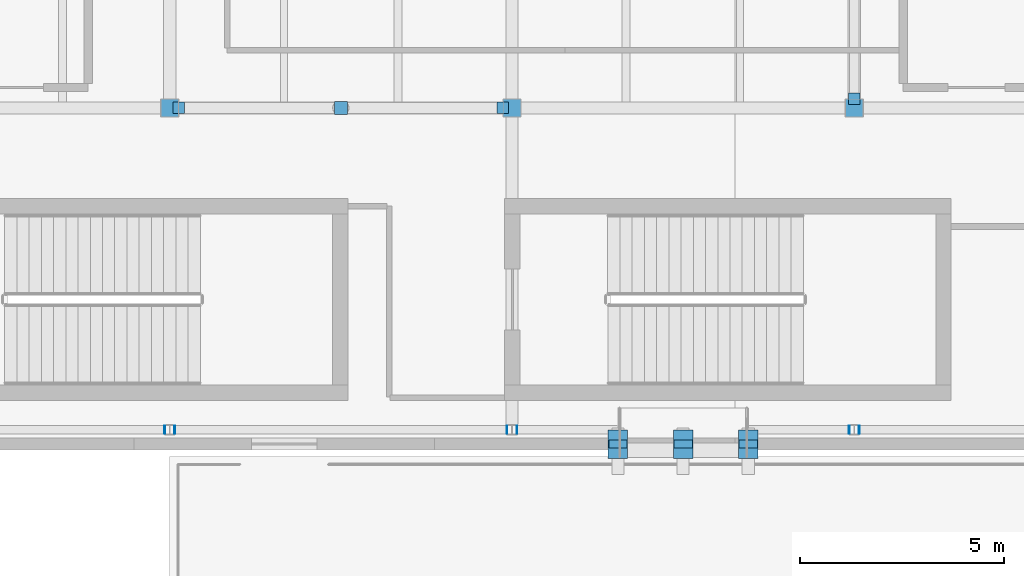
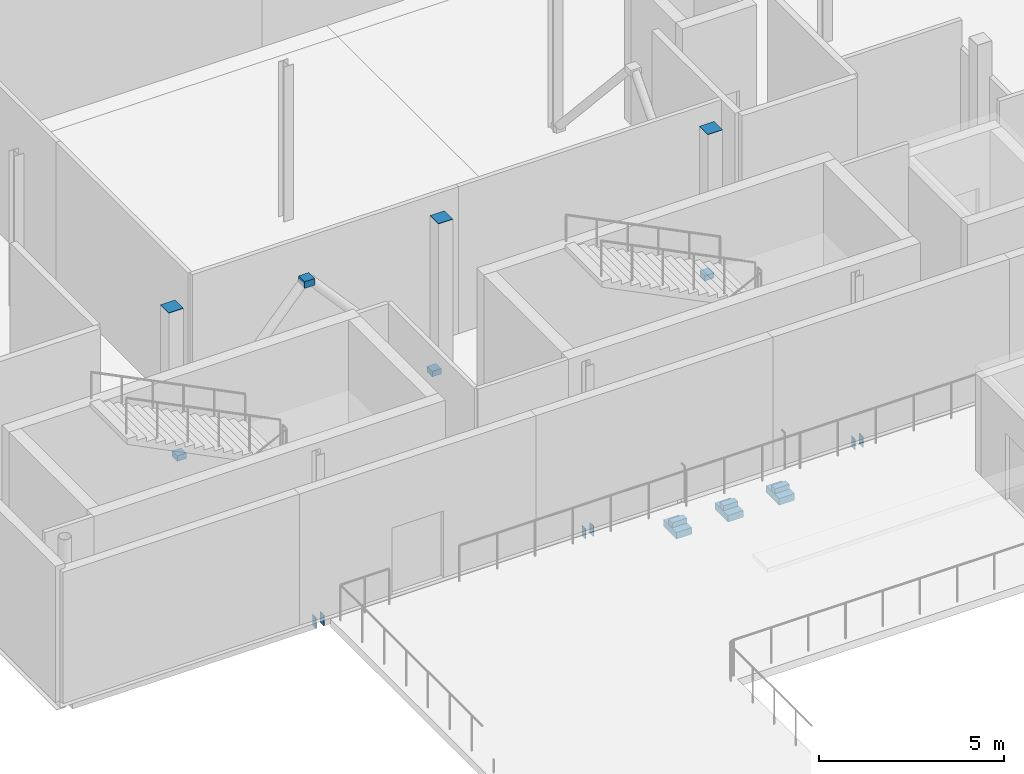
# One storey, part 42 of 57: 19 discrete accessories.
"""IFC4 building model written with IfcOpenShell, lengths in metres."""

import ifcopenshell
import ifcopenshell.guid

model = None  # the IFC model being written
_history = None  # IfcOwnerHistory: only IFC2X3 demands one
_inside = {}  # id of a spatial element -> (the spatial element, [elements in it])
_under = {}  # id of a project, library or spatial element -> (it, [spatial elements below it])
_declared = {}  # id of a project -> (the project, [libraries it declares])
_typed = {}  # id of a type object -> (the type object, [elements of that type])
_made_of = {}  # id of a material, layer set ... -> (it, [elements and type objects made of it])


def new_model(schema):
    """Start an empty IFC model of exactly this schema.

    Asked for "IFC4X3", IfcOpenShell would pick the latest addendum, in which some entities
    have other attributes; the version numbers below select the first issue.
    IFC2X3 requires an IfcOwnerHistory on every rooted entity: one is made here for all.
    """
    global model, _history
    if schema == "IFC4X3":
        model = ifcopenshell.file(schema_version=(4, 3, 0, 0))
    else:
        model = ifcopenshell.file(schema=schema)
    _inside.clear()
    _under.clear()
    _declared.clear()
    _typed.clear()
    _made_of.clear()
    _history = None
    if model.schema == "IFC2X3":
        org = make("IfcOrganization", Name="unknown")
        user = make(
            "IfcPersonAndOrganization",
            ThePerson=make("IfcPerson", FamilyName="unknown"),
            TheOrganization=org,
        )
        app = make(
            "IfcApplication",
            ApplicationDeveloper=org,
            Version="unknown",
            ApplicationFullName="unknown",
            ApplicationIdentifier="unknown",
        )
        _history = make(
            "IfcOwnerHistory",
            OwningUser=user,
            OwningApplication=app,
            ChangeAction="ADDED",
            CreationDate=0,
        )
    return model


def make(cls, **values):
    """One entity of the class cls with the attributes given. An attribute that is None is left unset."""
    return model.create_entity(
        cls, **{name: value for name, value in values.items() if value is not None}
    )


def rooted(cls, **values):
    """An entity with a GlobalId (a new one), such as an element, a storey or a relation."""
    return make(cls, GlobalId=ifcopenshell.guid.new(), OwnerHistory=_history, **values)


def si_unit(unit_type, name, prefix=None):
    """IfcSIUnit, for example si_unit("LENGTHUNIT", "METRE", prefix="MILLI")."""
    return make("IfcSIUnit", UnitType=unit_type, Prefix=prefix, Name=name)


def assignment(units):
    """IfcUnitAssignment: the units of a project."""
    return None if units is None else make("IfcUnitAssignment", Units=units)


def point(xyz):
    """IfcCartesianPoint."""
    return None if xyz is None else make("IfcCartesianPoint", Coordinates=xyz)


def direction(xyz):
    """IfcDirection."""
    return None if xyz is None else make("IfcDirection", DirectionRatios=xyz)


def frame(location, z_axis=None, x_axis=None):
    """IfcAxis2Placement3D, a coordinate frame: its origin and axes. An axis left out is left unset."""
    return make(
        "IfcAxis2Placement3D",
        Location=point(location),
        Axis=direction(z_axis),
        RefDirection=direction(x_axis),
    )


def frame_2d(location, x_axis=None):
    """IfcAxis2Placement2D, a coordinate frame in the plane: its origin and x axis."""
    return make(
        "IfcAxis2Placement2D", Location=point(location), RefDirection=direction(x_axis)
    )


def origin():
    """The frame at (0, 0, 0) with its axes left unset."""
    return frame((0.0, 0.0, 0.0))


def origin_2d():
    """The frame at (0, 0) in the plane with its x axis left unset."""
    return frame_2d((0.0, 0.0))


def place(relative_to, where):
    """IfcLocalPlacement: puts the frame where relative to a parent placement (None: the world)."""
    return make(
        "IfcLocalPlacement", PlacementRelTo=relative_to, RelativePlacement=where
    )


def context(
    kind, dimensions, precision=None, world=None, true_north=None, identifier=None
):
    """IfcGeometricRepresentationContext, for example the 3D "Model" context."""
    return make(
        "IfcGeometricRepresentationContext",
        ContextIdentifier=identifier,
        ContextType=kind,
        CoordinateSpaceDimension=dimensions,
        Precision=precision,
        WorldCoordinateSystem=world,
        TrueNorth=true_north,
    )


def subcontext(parent, identifier, kind, view, scale=None):
    """IfcGeometricRepresentationSubContext, for example "Body" below "Model"."""
    return make(
        "IfcGeometricRepresentationSubContext",
        ContextIdentifier=identifier,
        ContextType=kind,
        ParentContext=parent,
        TargetScale=scale,
        TargetView=view,
    )


def project(units=None, contexts=None):
    """IfcProject with its units and contexts."""
    return rooted(
        "IfcProject",
        Name="project",
        RepresentationContexts=contexts,
        UnitsInContext=assignment(units),
    )


def spatial(cls, under=None, at=None, **own):
    """A site, building, storey or space (cls), placed at a placement, below another one or the project."""
    s = rooted(cls, ObjectPlacement=at, **own)
    if under is not None:
        _under.setdefault(under.id(), (under, []))[1].append(s)
    return s


def profile(cls, at=None, kind="AREA", **sizes):
    """A parametric profile (cls). Its sizes go by their IFC names, for example OverallWidth=200.0."""
    return make(cls, ProfileType=kind, Position=at, **sizes)


def rectangle(**sizes):
    """IfcRectangleProfileDef."""
    return profile("IfcRectangleProfileDef", **sizes)


def extrude(swept, where, along, depth):
    """IfcExtrudedAreaSolid: the profile swept, set in the frame where, extruded along a direction by depth."""
    return make(
        "IfcExtrudedAreaSolid",
        SweptArea=swept,
        Position=where,
        ExtrudedDirection=direction(along),
        Depth=depth,
    )


def shape(context_of_items, identifier, shape_type, items):
    """IfcShapeRepresentation: the items that make up one representation, for example the "Body"."""
    return make(
        "IfcShapeRepresentation",
        ContextOfItems=context_of_items,
        RepresentationIdentifier=identifier,
        RepresentationType=shape_type,
        Items=items,
    )


def material(Name=None, Category=None):
    """IfcMaterial."""
    return make("IfcMaterial", Name=Name, Category=Category)


def made_of(thing, what):
    """Note that an element or type object is made of a material, layer set ...; save() writes the relation."""
    if what is not None:
        _made_of.setdefault(what.id(), (what, []))[1].append(thing)
    return thing


def type_object(cls, material=None, **own):
    """A type object (cls), such as IfcWallType, which elements share."""
    return made_of(rooted(cls, **own), material)


def element(
    cls,
    number,
    at=None,
    inside=None,
    cuts=None,
    type_object=None,
    material=None,
    context=None,
    identifier="Body",
    shape_type=None,
    held_by="IfcProductDefinitionShape",
    body=None,
    shapes=None,
    **own,
):
    """One element of the class cls, such as IfcWall. Its Tag is "e" and its number.

    at: its placement. inside: the storey or other place that contains it. cuts: it is an
    opening in that element (IfcRelVoidsElement). A single representation is given by context,
    identifier, shape_type and body (its items); several are given by shapes. held_by: the class
    of the entity that holds the representations. save() writes the other relations.
    """
    e = rooted(cls, Tag="e%d" % number, ObjectPlacement=at, **own)
    if body is not None:
        shapes = [shape(context, identifier, shape_type, body)]
    if shapes is not None:
        e.Representation = make(held_by, Representations=shapes)
    if inside is not None:
        _inside.setdefault(inside.id(), (inside, []))[1].append(e)
    if cuts is not None:
        rooted(
            "IfcRelVoidsElement", RelatingBuildingElement=cuts, RelatedOpeningElement=e
        )
    if type_object is not None:
        _typed.setdefault(type_object.id(), (type_object, []))[1].append(e)
    return made_of(e, material)


def aggregate(whole, parts):
    """IfcRelAggregates: a whole, such as a stair, and the parts it consists of."""
    return rooted("IfcRelAggregates", RelatingObject=whole, RelatedObjects=parts)


def save(model, path):
    """Write the relations noted so far, then the file.

    IfcRelAggregates (storeys below a building ...), IfcRelContainedInSpatialStructure (elements
    in a storey), IfcRelDefinesByType, IfcRelAssociatesMaterial and IfcRelDeclares: one each for
    every whole, place, type object, material and project.
    """
    for whole, parts in _under.values():
        aggregate(whole, parts)
    for where, things in _inside.values():
        rooted(
            "IfcRelContainedInSpatialStructure",
            RelatedElements=things,
            RelatingStructure=where,
        )
    for kind, things in _typed.values():
        rooted("IfcRelDefinesByType", RelatedObjects=things, RelatingType=kind)
    for what, things in _made_of.values():
        rooted("IfcRelAssociatesMaterial", RelatedObjects=things, RelatingMaterial=what)
    for by, libraries in _declared.values():
        rooted("IfcRelDeclares", RelatingContext=by, RelatedDefinitions=libraries)
    model.write(path)


model = new_model("IFC4")

# Units and contexts
model_context = context("Model", 3, precision=1e-05, world=origin(), true_north=direction((0.0, 1.0)))
body_context = subcontext(model_context, "Body", "Model", "MODEL_VIEW")
ifc_project = project(units=[si_unit("LENGTHUNIT", "METRE"), si_unit("AREAUNIT", "SQUARE_METRE"), si_unit("VOLUMEUNIT", "CUBIC_METRE"), si_unit("PLANEANGLEUNIT", "RADIAN"), si_unit("MASSUNIT", "GRAM", prefix="KILO"), si_unit("THERMODYNAMICTEMPERATUREUNIT", "KELVIN")], contexts=[model_context])

# Site, building, storey
site_placement = place(None, origin())
site = spatial("IfcSite", under=ifc_project, at=site_placement, CompositionType="ELEMENT")
building_placement = place(site_placement, origin())
building = spatial("IfcBuilding", under=site, at=building_placement, Name="Lustrewick Department Store", CompositionType="ELEMENT")
storey_placement = place(building_placement, frame((0.0, 0.0, 26.699951171875)))
storey = spatial("IfcBuildingStorey", under=building, at=storey_placement, Name="L06", CompositionType="ELEMENT", Elevation=26.699951171875)

# Discrete accessories
ifc_material = material(Name="Structural steel Q355C", Category="steel")
discrete_accessory_type_1 = type_object("IfcDiscreteAccessoryType", Name="GUS-NODE", PredefinedType="BRACKET", material=ifc_material)
for number, where, z_axis, x_axis, name in (
    (1, (117.824951171875, 58.800048828125, 0.06005859375), (0.0, 0.0, 1.0), (1.0, 0.0, 0.0), "L06 V4 Brace Base Gusset Plate"),
    (2, (125.77490234375, 58.800048828125, 0.06005859375), (0.0, 0.0, 1.0), (1.0, 0.0, 0.0), "L06 V4 Brace Base Gusset Plate"),
):
    element("IfcDiscreteAccessory", number, at=place(storey_placement, frame(where, z_axis=z_axis, x_axis=x_axis)), inside=storey, type_object=discrete_accessory_type_1, Name=name, PredefinedType="BRACKET", context=body_context, shape_type="SweptSolid", body=[
        extrude(rectangle(XDim=0.280029296875, YDim=0.280029296875, at=origin_2d()), origin(), (0.0, 0.0, 1.0), 0.179931640625),
    ])
discrete_accessory_1_placement = place(storey_placement, frame((121.800048828125, 58.800048828125, 4.38525390625), z_axis=(0.0, 0.0, 1.0), x_axis=(1.0, 0.0, 0.0)))
element("IfcDiscreteAccessory", 3, at=discrete_accessory_1_placement, inside=storey, type_object=discrete_accessory_type_1, Name="L06 V4 Chevron Brace Apex Gusset Plate", PredefinedType="BRACKET", context=body_context, shape_type="SweptSolid", body=[
    extrude(rectangle(XDim=0.320068359375, YDim=0.320068359375, at=origin_2d()), origin(), (0.0, 0.0, 1.0), 0.219970703125),
])
discrete_accessory_2_placement = place(storey_placement, frame((134.39990234375, 59.02490234375, 0.06005859375), z_axis=(0.0, 0.0, 1.0), x_axis=(1.0, 0.0, 0.0)))
element("IfcDiscreteAccessory", 4, at=discrete_accessory_2_placement, inside=storey, type_object=discrete_accessory_type_1, Name="L06 V4 Brace Base Gusset Plate", PredefinedType="BRACKET", context=body_context, shape_type="SweptSolid", body=[
    extrude(rectangle(XDim=0.280029296875, YDim=0.280029296875, at=origin_2d()), origin(), (0.0, 0.0, 1.0), 0.179931640625),
])
discrete_accessory_type_2 = type_object("IfcDiscreteAccessoryType", Name="SB-CORBEL", PredefinedType="BRACKET", material=ifc_material)
for number, where, z_axis, x_axis, name in (
    (5, (128.60009765625, 50.550048828125, -1.11279296875), (0.0, 0.0, 1.0), (1.0, 0.0, 0.0), "L06 Skybridge SB34 700 mm Bearing Seat Corbel 1"),
    (6, (130.199951171875, 50.550048828125, -1.11279296875), (0.0, 0.0, 1.0), (1.0, 0.0, 0.0), "L06 Skybridge SB34 700 mm Bearing Seat Corbel 2"),
    (7, (131.800048828125, 50.550048828125, -1.11279296875), (0.0, 0.0, 1.0), (1.0, 0.0, 0.0), "L06 Skybridge SB34 700 mm Bearing Seat Corbel 3"),
):
    element("IfcDiscreteAccessory", number, at=place(storey_placement, frame(where, z_axis=z_axis, x_axis=x_axis)), inside=storey, type_object=discrete_accessory_type_2, Name=name, PredefinedType="BRACKET", context=body_context, shape_type="SweptSolid", body=[
        extrude(rectangle(XDim=0.47998046875, YDim=0.699951171875, at=origin_2d()), origin(), (0.0, 0.0, 1.0), 0.219970703125),
    ])
discrete_accessory_type_3 = type_object("IfcDiscreteAccessoryType", Name="SB-PTFE", PredefinedType="BRACKET", material=ifc_material)
for number, where, z_axis, x_axis, name in (
    (8, (128.60009765625, 50.550048828125, -0.89306640625), (0.0, 0.0, 1.0), (1.0, 0.0, 0.0), "L06 Skybridge SB34 PTFE Sliding Bearing 1"),
    (9, (130.199951171875, 50.550048828125, -0.89306640625), (0.0, 0.0, 1.0), (1.0, 0.0, 0.0), "L06 Skybridge SB34 PTFE Sliding Bearing 2"),
    (10, (131.800048828125, 50.550048828125, -0.89306640625), (0.0, 0.0, 1.0), (1.0, 0.0, 0.0), "L06 Skybridge SB34 PTFE Sliding Bearing 3"),
):
    element("IfcDiscreteAccessory", number, at=place(storey_placement, frame(where, z_axis=z_axis, x_axis=x_axis)), inside=storey, type_object=discrete_accessory_type_3, Name=name, PredefinedType="BRACKET", context=body_context, shape_type="SweptSolid", body=[
        extrude(rectangle(XDim=0.449951171875, YDim=0.199951171875, at=origin_2d()), origin(), (0.0, 0.0, 1.0), 0.159912109375),
    ])
discrete_accessory_type_4 = type_object("IfcDiscreteAccessoryType", Name="ECP-01", PredefinedType="USERDEFINED", material=ifc_material)
for number, where, z_axis, x_axis, name in (
    (11, (117.468994140625, 50.89990234375, -0.429931640625), (1.0, 0.0, 0.0), (0.0, 1.0, 0.0), "L06 Welded Hollow-Section End-Cap Plate ECP-01"),
    (12, (134.268798828125, 50.89990234375, -0.429931640625), (1.0, 0.0, 0.0), (0.0, 1.0, 0.0), "L06 Welded Hollow-Section End-Cap Plate ECP-01"),
    (13, (126.131103515625, 50.89990234375, -0.429931640625), (-1.0, 0.0, 0.0), (0.0, 1.0, 0.0), "L06 Welded Hollow-Section End-Cap Plate ECP-01"),
):
    element("IfcDiscreteAccessory", number, at=place(storey_placement, frame(where, z_axis=z_axis, x_axis=x_axis)), inside=storey, type_object=discrete_accessory_type_4, Name=name, ObjectType="END_CAP_PLATE", PredefinedType="USERDEFINED", context=body_context, shape_type="SweptSolid", body=[
        extrude(rectangle(XDim=0.199951171875, YDim=0.35009765625, at=origin_2d()), origin(), (0.0, 0.0, 1.0), 0.01611328125),
    ])
for number, where, z_axis, x_axis, name in (
    (14, (134.39990234375, 58.800048828125, 5.093994140625), (0.0, 0.0, 1.0), (1.0, 0.0, 0.0), "L06 Welded Hollow-Section End-Cap Plate ECP-01"),
    (15, (126.0, 58.800048828125, 5.093994140625), (0.0, 0.0, 1.0), (1.0, 0.0, 0.0), "L06 Welded Hollow-Section End-Cap Plate ECP-01"),
):
    element("IfcDiscreteAccessory", number, at=place(storey_placement, frame(where, z_axis=z_axis, x_axis=x_axis)), inside=storey, type_object=discrete_accessory_type_4, Name=name, ObjectType="END_CAP_PLATE", PredefinedType="USERDEFINED", context=body_context, shape_type="SweptSolid", body=[
        extrude(rectangle(XDim=0.449951171875, YDim=0.449951171875, at=origin_2d()), origin(), (0.0, 0.0, 1.0), 0.01611328125),
    ])
for number, where, z_axis, x_axis, name in (
    (16, (125.868896484375, 50.89990234375, -0.429931640625), (1.0, 0.0, 0.0), (0.0, 1.0, 0.0), "L06 Welded Hollow-Section End-Cap Plate ECP-01"),
    (17, (117.731201171875, 50.89990234375, -0.429931640625), (-1.0, 0.0, 0.0), (0.0, 1.0, 0.0), "L06 Welded Hollow-Section End-Cap Plate ECP-01"),
):
    element("IfcDiscreteAccessory", number, at=place(storey_placement, frame(where, z_axis=z_axis, x_axis=x_axis)), inside=storey, type_object=discrete_accessory_type_4, Name=name, ObjectType="END_CAP_PLATE", PredefinedType="USERDEFINED", context=body_context, shape_type="SweptSolid", body=[
        extrude(rectangle(XDim=0.199951171875, YDim=0.35009765625, at=origin_2d()), origin(), (0.0, 0.0, 1.0), 0.01611328125),
    ])
discrete_accessory_3_placement = place(storey_placement, frame((117.60009765625, 58.800048828125, 5.093994140625), z_axis=(0.0, 0.0, 1.0), x_axis=(1.0, 0.0, 0.0)))
element("IfcDiscreteAccessory", 18, at=discrete_accessory_3_placement, inside=storey, type_object=discrete_accessory_type_4, Name="L06 Welded Hollow-Section End-Cap Plate ECP-01", ObjectType="END_CAP_PLATE", PredefinedType="USERDEFINED", context=body_context, shape_type="SweptSolid", body=[
    extrude(rectangle(XDim=0.449951171875, YDim=0.449951171875, at=origin_2d()), origin(), (0.0, 0.0, 1.0), 0.01611328125),
])
discrete_accessory_4_placement = place(storey_placement, frame((134.531005859375, 50.89990234375, -0.429931640625), z_axis=(-1.0, 0.0, 0.0), x_axis=(0.0, 1.0, 0.0)))
element("IfcDiscreteAccessory", 19, at=discrete_accessory_4_placement, inside=storey, type_object=discrete_accessory_type_4, Name="L06 Welded Hollow-Section End-Cap Plate ECP-01", ObjectType="END_CAP_PLATE", PredefinedType="USERDEFINED", context=body_context, shape_type="SweptSolid", body=[
    extrude(rectangle(XDim=0.199951171875, YDim=0.35009765625, at=origin_2d()), origin(), (0.0, 0.0, 1.0), 0.01611328125),
])

save(model, "model.ifc")
